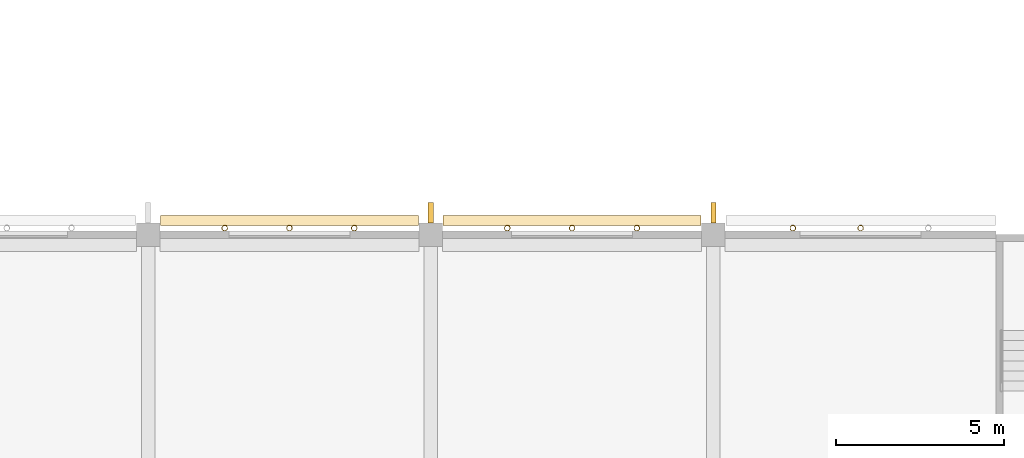
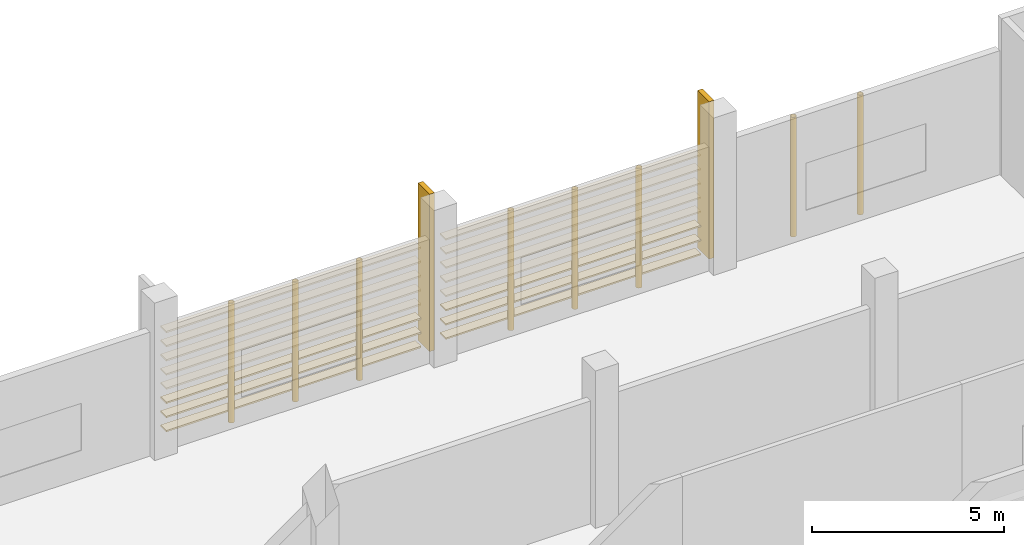
# One storey, part 60 of 82: 16 coverings, 10 shading devices.
"""IFC4 building model written with IfcOpenShell, lengths in metres."""

from ifc_helpers import new_model, si_unit, direction, frame, origin, origin_2d, place, context, subcontext, project, spatial, rectangle, hollow_circle, extrude, material, material_profile, profile_set, type_object, element, save


model = new_model("IFC4")

# Units and contexts
model_context = context("Model", 3, precision=1e-05, world=origin(), true_north=direction((0.0, 1.0)))
body_context = subcontext(model_context, "Body", "Model", "MODEL_VIEW")
ifc_project = project(units=[si_unit("LENGTHUNIT", "METRE"), si_unit("AREAUNIT", "SQUARE_METRE"), si_unit("VOLUMEUNIT", "CUBIC_METRE"), si_unit("PLANEANGLEUNIT", "RADIAN"), si_unit("MASSUNIT", "GRAM", prefix="KILO")], contexts=[model_context])

# Site, building, storey
site_placement = place(None, origin())
site = spatial("IfcSite", under=ifc_project, at=site_placement, CompositionType="ELEMENT")
building_placement = place(site_placement, origin())
building = spatial("IfcBuilding", under=site, at=building_placement, Name="Almond Square Museum", CompositionType="ELEMENT")
storey_placement = place(building_placement, frame((0.0, 0.0, 20.0)))
storey = spatial("IfcBuildingStorey", under=building, at=storey_placement, Name="L03", CompositionType="ELEMENT", Elevation=20.0)

# Shading devices
ifc_material_1 = material(Name="Structural steel S355", Category="steel")
ifc_material_profile_1 = material_profile(ifc_material_1, hollow_circle(Radius=0.084228515625, WallThickness=0.008056640625, at=origin_2d()))
ifc_profile_set_1 = profile_set([ifc_material_profile_1], Name="Structural steel S355")
shading_device_type_1 = type_object("IfcShadingDeviceType", Name="Louvre post CHS 168.3 x 8", PredefinedType="USERDEFINED", material=ifc_profile_set_1)
for number, where, z_axis, x_axis, name in (
    (1, (117.5625, 16.994140625, 0.0), (0.0, 0.0, 1.0), (1.0, 0.0, 0.0), "Louvre screen post"),
    (2, (119.574951171875, 16.994140625, 0.0), (0.0, 0.0, 1.0), (1.0, 0.0, 0.0), "Louvre screen post"),
    (3, (109.074951171875, 16.994140625, 0.0), (0.0, 0.0, 1.0), (1.0, 0.0, 0.0), "Louvre screen post"),
    (4, (111.0, 16.994140625, 0.0), (0.0, 0.0, 1.0), (1.0, 0.0, 0.0), "Louvre screen post"),
    (5, (112.925048828125, 16.994140625, 0.0), (0.0, 0.0, 1.0), (1.0, 0.0, 0.0), "Louvre screen post"),
    (6, (100.675048828125, 16.994140625, 0.0), (0.0, 0.0, 1.0), (1.0, 0.0, 0.0), "Louvre screen post"),
    (7, (102.60009765625, 16.994140625, 0.0), (0.0, 0.0, 1.0), (1.0, 0.0, 0.0), "Louvre screen post"),
    (8, (104.52490234375, 16.994140625, 0.0), (0.0, 0.0, 1.0), (1.0, 0.0, 0.0), "Louvre screen post"),
):
    element("IfcShadingDevice", number, at=place(storey_placement, frame(where, z_axis=z_axis, x_axis=x_axis)), inside=storey, type_object=shading_device_type_1, Name=name, ObjectType="POST", PredefinedType="USERDEFINED", context=body_context, shape_type="SweptSolid", body=[
        extrude(hollow_circle(Radius=0.084228515625, WallThickness=0.008056640625, at=origin_2d()), origin(), (0.0, 0.0, 1.0), 3.800048828125),
    ])

# Coverings
ifc_material_2 = material(Name="Cedar timber louvre board", Category="wood")
ifc_material_profile_2 = material_profile(ifc_material_2, rectangle(XDim=0.300048828125, YDim=0.050048828125, at=origin_2d()))
ifc_profile_set_2 = profile_set([ifc_material_profile_2], Name="Cedar timber louvre board")
covering_type = type_object("IfcCoveringType", Name="Louvre screen board 300 x 50", PredefinedType="CLADDING", material=ifc_profile_set_2)
for number, where, z_axis, x_axis, name in (
    (9, (107.169921875, 17.224365234375, 0.300048828125), (1.0, 0.0, 0.0), (0.0, 1.0, 0.0), "Louvre screen board"),
    (10, (107.169921875, 17.224365234375, 0.75), (1.0, 0.0, 0.0), (0.0, 1.0, 0.0), "Louvre screen board"),
    (11, (107.169921875, 17.224365234375, 1.199951171875), (1.0, 0.0, 0.0), (0.0, 1.0, 0.0), "Louvre screen board"),
    (12, (107.169921875, 17.224365234375, 1.64990234375), (1.0, 0.0, 0.0), (0.0, 1.0, 0.0), "Louvre screen board"),
    (13, (107.169921875, 17.224365234375, 2.10009765625), (1.0, 0.0, 0.0), (0.0, 1.0, 0.0), "Louvre screen board"),
    (14, (107.169921875, 17.224365234375, 2.550048828125), (1.0, 0.0, 0.0), (0.0, 1.0, 0.0), "Louvre screen board"),
    (15, (107.169921875, 17.224365234375, 3.0), (1.0, 0.0, 0.0), (0.0, 1.0, 0.0), "Louvre screen board"),
    (16, (107.169921875, 17.224365234375, 3.449951171875), (1.0, 0.0, 0.0), (0.0, 1.0, 0.0), "Louvre screen board"),
):
    element("IfcCovering", number, at=place(storey_placement, frame(where, z_axis=z_axis, x_axis=x_axis)), inside=storey, type_object=covering_type, Name=name, PredefinedType="CLADDING", context=body_context, shape_type="SweptSolid", body=[
        extrude(rectangle(XDim=0.300048828125, YDim=0.050048828125, at=origin_2d()), origin(), (0.0, 0.0, 1.0), 7.66015625),
    ])
for number, where, z_axis, x_axis, name in (
    (17, (98.77001953125, 17.224365234375, 0.300048828125), (1.0, 0.0, 0.0), (0.0, 1.0, 0.0), "Louvre screen board"),
    (18, (98.77001953125, 17.224365234375, 0.75), (1.0, 0.0, 0.0), (0.0, 1.0, 0.0), "Louvre screen board"),
    (19, (98.77001953125, 17.224365234375, 1.199951171875), (1.0, 0.0, 0.0), (0.0, 1.0, 0.0), "Louvre screen board"),
    (20, (98.77001953125, 17.224365234375, 1.64990234375), (1.0, 0.0, 0.0), (0.0, 1.0, 0.0), "Louvre screen board"),
    (21, (98.77001953125, 17.224365234375, 2.10009765625), (1.0, 0.0, 0.0), (0.0, 1.0, 0.0), "Louvre screen board"),
    (22, (98.77001953125, 17.224365234375, 2.550048828125), (1.0, 0.0, 0.0), (0.0, 1.0, 0.0), "Louvre screen board"),
    (23, (98.77001953125, 17.224365234375, 3.0), (1.0, 0.0, 0.0), (0.0, 1.0, 0.0), "Louvre screen board"),
    (24, (98.77001953125, 17.224365234375, 3.449951171875), (1.0, 0.0, 0.0), (0.0, 1.0, 0.0), "Louvre screen board"),
):
    element("IfcCovering", number, at=place(storey_placement, frame(where, z_axis=z_axis, x_axis=x_axis)), inside=storey, type_object=covering_type, Name=name, PredefinedType="CLADDING", context=body_context, shape_type="SweptSolid", body=[
        extrude(rectangle(XDim=0.300048828125, YDim=0.050048828125, at=origin_2d()), origin(), (0.0, 0.0, 1.0), 7.659912109375),
    ])

# Shading devices
ifc_material_3 = material(Name="Cedar timber fin", Category="wood")
shading_device_type_2 = type_object("IfcShadingDeviceType", Name="Timber storm fin 150 x 600", PredefinedType="USERDEFINED", material=ifc_material_3)
for number, where, z_axis, x_axis, name in (
    (25, (106.800048828125, 17.449951171875, 0.0), (0.0, 0.0, 1.0), (1.0, 0.0, 0.0), "Timber storm fin"),
    (26, (115.199951171875, 17.449951171875, 0.0), (0.0, 0.0, 1.0), (1.0, 0.0, 0.0), "Timber storm fin"),
):
    element("IfcShadingDevice", number, at=place(storey_placement, frame(where, z_axis=z_axis, x_axis=x_axis)), inside=storey, type_object=shading_device_type_2, Name=name, ObjectType="FIN", PredefinedType="USERDEFINED", context=body_context, shape_type="SweptSolid", body=[
        extrude(rectangle(XDim=0.14990234375, YDim=0.60009765625, at=origin_2d()), origin(), (0.0, 0.0, 1.0), 5.0),
    ])

save(model, "model.ifc")
